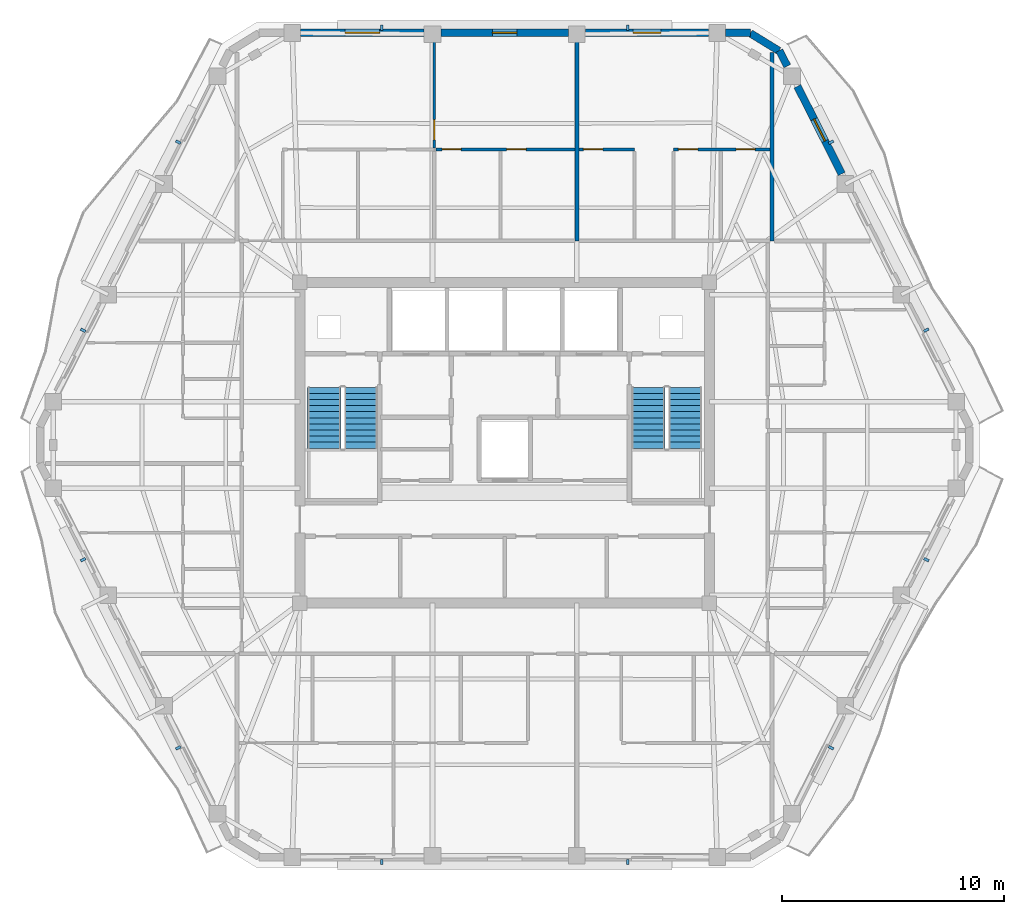
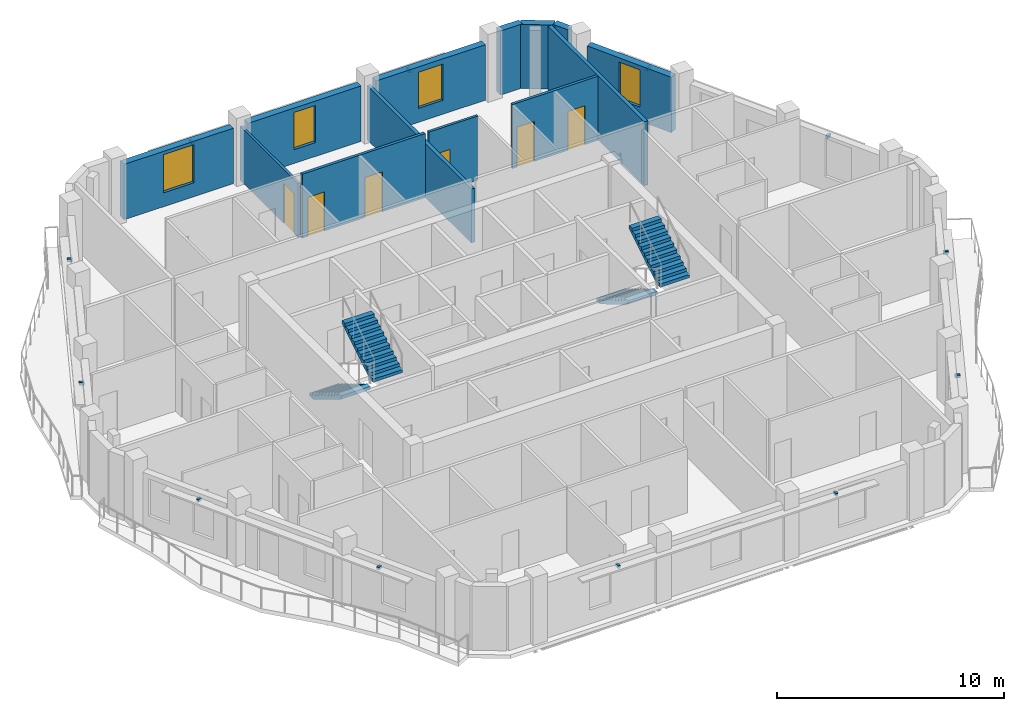
# One storey, part 8 of 11: 13 walls, 12 discrete accessories, 6 doors, 4 stair flights, 4 windows, 10 openings, 2 elements without a shape of their own.
"""IFC4 building model written with IfcOpenShell, lengths in metres."""

from ifc_helpers import new_model, si_unit, direction, frame, frame_2d, origin, origin_2d, place, context, subcontext, project, spatial, polyline, rectangle, outline, extrude, material, layer, layer_set, type_object, element, fill, aggregate, save


model = new_model("IFC4")

# Units and contexts
model_context = context("Model", 3, precision=1e-05, world=origin(), true_north=direction((0.0, 1.0)))
body_context = subcontext(model_context, "Body", "Model", "MODEL_VIEW")
ifc_project = project(units=[si_unit("LENGTHUNIT", "METRE"), si_unit("AREAUNIT", "SQUARE_METRE"), si_unit("VOLUMEUNIT", "CUBIC_METRE"), si_unit("PLANEANGLEUNIT", "RADIAN"), si_unit("MASSUNIT", "GRAM", prefix="KILO")], contexts=[model_context])

# Site, building, storey
site_placement = place(None, origin())
site = spatial("IfcSite", under=ifc_project, at=site_placement, CompositionType="ELEMENT")
building_placement = place(site_placement, origin())
building = spatial("IfcBuilding", under=site, at=building_placement, Name="Cinnabar Lancet Tower", CompositionType="ELEMENT")
storey_placement = place(building_placement, frame((0.0, 0.0, 256.199951171875)))
storey = spatial("IfcBuildingStorey", under=building, at=storey_placement, Name="L68", CompositionType="ELEMENT", Elevation=256.199951171875)

# Walls
ifc_material_1 = material(Name="Fire-rated twin-frame acoustic drywall", Category="gypsum")
ifc_layer_1 = layer(ifc_material_1, 0.179931640625)
ifc_layer_set_1 = layer_set([ifc_layer_1], Name="Fire-rated twin-frame acoustic drywall")
wall_type_1 = type_object("IfcWallType", Name="ARC-WL-PARTY-180", PredefinedType="PARTITIONING", material=ifc_layer_set_1)
wall_1_placement = place(storey_placement, frame((35.654052734375, 35.0, 0.0), z_axis=(0.0, 0.0, 1.0), x_axis=(0.0, 1.0, 0.0)))
element("IfcWall", 1, at=wall_1_placement, inside=storey, type_object=wall_type_1, Name="PW-L68-NPTY-357", PredefinedType="PARTITIONING", context=body_context, shape_type="SweptSolid", body=[
    extrude(rectangle(XDim=9.195068359375, YDim=0.179931640625, at=frame_2d((4.59765625, 0.0))), origin(), (0.0, 0.0, 1.0), 2.906982421875),
])
wall_2_placement = place(storey_placement, frame((44.449951171875, 35.0, 0.0), z_axis=(0.0, 0.0, 1.0), x_axis=(0.0, 1.0, 0.0)))
element("IfcWall", 2, at=wall_2_placement, inside=storey, type_object=wall_type_1, Name="PW-L68-NPTY-444", PredefinedType="PARTITIONING", context=body_context, shape_type="SweptSolid", body=[
    extrude(rectangle(XDim=8.48095703125, YDim=0.179931640625, at=frame_2d((4.240478515625, 0.0))), origin(), (0.0, 0.0, 1.0), 3.449951171875),
])

# Wall, opening, door
ifc_material_2 = material(Name="Gypsum plasterboard stud partition", Category="gypsum")
ifc_layer_2 = layer(ifc_material_2, 0.125)
ifc_layer_set_2 = layer_set([ifc_layer_2], Name="Gypsum plasterboard stud partition")
wall_type_2 = type_object("IfcWallType", Name="ARC-WL-UNIT-125", PredefinedType="PARTITIONING", material=ifc_layer_set_2)
wall_3_placement = place(storey_placement, frame((29.22607421875, 39.18994140625, 0.0), z_axis=(0.0, 0.0, 1.0), x_axis=(0.0, 1.0, 0.0)))
wall_3 = element("IfcWall", 3, at=wall_3_placement, inside=storey, type_object=wall_type_2, Name="UW-L68-N01-MBW", PredefinedType="PARTITIONING", context=body_context, shape_type="SweptSolid", body=[
    extrude(rectangle(XDim=5.094970703125, YDim=0.125, at=frame_2d((2.54736328125, 0.0))), origin(), (0.0, 0.0, 1.0), 2.906982421875),
])
opening_1_placement = place(wall_3_placement, frame((0.35009765625, 0.0, 0.0)))
opening_1 = element("IfcOpeningElement", 4, at=opening_1_placement, cuts=wall_3, Name="Opening RD-01", PredefinedType="OPENING", context=body_context, shape_type="SweptSolid", body=[
    extrude(rectangle(XDim=0.919921875, YDim=2.14990234375, at=frame_2d((0.4599609375, 1.074951171875))), frame((0.0, 0.072509765625, 0.0), z_axis=(0.0, -1.0, 0.0), x_axis=(1.0, 0.0, 0.0)), (0.0, 0.0, 1.0), 0.14501953125),
])
ifc_material_3 = material(Name="Engineered timber bedroom door", Category="wood")
door_type_1 = type_object("IfcDoorType", Name="ARC-DR-ROOM", OperationType="NOTDEFINED", PredefinedType="DOOR", material=ifc_material_3)
door_1_placement = place(opening_1_placement, origin())
door_1 = element("IfcDoor", 5, at=door_1_placement, inside=storey, type_object=door_type_1, Name="DR-L68-N01-MBD", OperationType="SINGLE_SWING_RIGHT", OverallHeight=2.14990234375, OverallWidth=0.919921875, PredefinedType="DOOR", context=body_context, shape_type="SweptSolid", body=[
    extrude(rectangle(XDim=0.919921875, YDim=2.14990234375, at=frame_2d((0.4599609375, 1.074951171875))), frame((0.0, 0.02490234375, 0.0), z_axis=(0.0, -1.0, 0.0), x_axis=(1.0, 0.0, 0.0)), (0.0, 0.0, 1.0), 0.050048828125),
])
fill(opening_1, door_1)

wall_4_placement = place(storey_placement, frame((35.7490234375, 39.114990234375, 0.0), z_axis=(0.0, 0.0, 1.0), x_axis=(1.0, 0.0, 0.0)))
wall_4 = element("IfcWall", 6, at=wall_4_placement, inside=storey, type_object=wall_type_2, Name="UW-L68-N02-SP0", PredefinedType="PARTITIONING", context=body_context, shape_type="SweptSolid", body=[
    extrude(rectangle(XDim=2.5009765625, YDim=0.125, at=frame_2d((1.25048828125, 0.0))), origin(), (0.0, 0.0, 1.0), 3.449951171875),
])
opening_2_placement = place(wall_4_placement, frame((0.199951171875, 0.0, 0.0)))
opening_2 = element("IfcOpeningElement", 7, at=opening_2_placement, cuts=wall_4, Name="Opening RD-02", PredefinedType="OPENING", context=body_context, shape_type="SweptSolid", body=[
    extrude(rectangle(XDim=0.8798828125, YDim=2.14990234375, at=frame_2d((0.43994140625, 1.074951171875))), frame((0.0, 0.072509765625, 0.0), z_axis=(0.0, -1.0, 0.0), x_axis=(1.0, 0.0, 0.0)), (0.0, 0.0, 1.0), 0.14501953125),
])
ifc_material_4 = material(Name="Engineered timber study door", Category="wood")
door_type_2 = type_object("IfcDoorType", Name="ARC-DR-STUDY", OperationType="NOTDEFINED", PredefinedType="DOOR", material=ifc_material_4)
door_2_placement = place(opening_2_placement, origin())
door_2 = element("IfcDoor", 8, at=door_2_placement, inside=storey, type_object=door_type_2, Name="DR-L68-N02-EX0", OperationType="SINGLE_SWING_RIGHT", OverallHeight=2.14990234375, OverallWidth=0.8798828125, PredefinedType="DOOR", context=body_context, shape_type="SweptSolid", body=[
    extrude(rectangle(XDim=0.8798828125, YDim=2.14990234375, at=frame_2d((0.43994140625, 1.074951171875))), frame((0.0, 0.02490234375, 0.0), z_axis=(0.0, -1.0, 0.0), x_axis=(1.0, 0.0, 0.0)), (0.0, 0.0, 1.0), 0.050048828125),
])
fill(opening_2, door_2)

# Wall, openings, doors
ifc_material_5 = material(Name="Moisture-resistant cement-board plumbing wall", Category="masonry")
ifc_layer_3 = layer(ifc_material_5, 0.139892578125)
ifc_layer_set_3 = layer_set([ifc_layer_3], Name="Moisture-resistant cement-board plumbing wall")
wall_type_3 = type_object("IfcWallType", Name="ARC-WL-WET-140", PredefinedType="PLUMBINGWALL", material=ifc_layer_set_3)
wall_5_placement = place(storey_placement, frame((29.301025390625, 39.114990234375, 0.0), z_axis=(0.0, 0.0, 1.0), x_axis=(1.0, 0.0, 0.0)))
wall_5 = element("IfcWall", 9, at=wall_5_placement, inside=storey, type_object=wall_type_3, Name="UW-L68-N01-SPM", PredefinedType="PLUMBINGWALL", context=body_context, shape_type="SweptSolid", body=[
    extrude(rectangle(XDim=6.258056640625, YDim=0.139892578125, at=frame_2d((3.12890625, 0.0))), origin(), (0.0, 0.0, 1.0), 3.449951171875),
])
opening_3_placement = place(wall_5_placement, frame((0.280029296875, 0.0, 0.0)))
opening_3 = element("IfcOpeningElement", 10, at=opening_3_placement, cuts=wall_5, Name="Opening BD-01", PredefinedType="OPENING", context=body_context, shape_type="SweptSolid", body=[
    extrude(rectangle(XDim=0.860107421875, YDim=2.10009765625, at=frame_2d((0.43017578125, 1.050048828125))), frame((0.0, 0.079833984375, 0.0), z_axis=(0.0, -1.0, 0.0), x_axis=(1.0, 0.0, 0.0)), (0.0, 0.0, 1.0), 0.159912109375),
])
opening_4_placement = place(wall_5_placement, frame((3.18798828125, 0.0, 0.0)))
opening_4 = element("IfcOpeningElement", 11, at=opening_4_placement, cuts=wall_5, Name="Opening RD-02", PredefinedType="OPENING", context=body_context, shape_type="SweptSolid", body=[
    extrude(rectangle(XDim=0.8798828125, YDim=2.14990234375, at=frame_2d((0.43994140625, 1.074951171875))), frame((0.0, 0.079833984375, 0.0), z_axis=(0.0, -1.0, 0.0), x_axis=(1.0, 0.0, 0.0)), (0.0, 0.0, 1.0), 0.159912109375),
])
ifc_material_6 = material(Name="Moisture-resistant timber bathroom door", Category="wood")
door_type_3 = type_object("IfcDoorType", Name="ARC-DR-BATH", OperationType="NOTDEFINED", PredefinedType="DOOR", material=ifc_material_6)
door_3_placement = place(opening_3_placement, origin())
door_3 = element("IfcDoor", 12, at=door_3_placement, inside=storey, type_object=door_type_3, Name="DR-L68-N01-ENS", OperationType="SINGLE_SWING_LEFT", OverallHeight=2.10009765625, OverallWidth=0.860107421875, PredefinedType="DOOR", context=body_context, shape_type="SweptSolid", body=[
    extrude(rectangle(XDim=0.860107421875, YDim=2.10009765625, at=frame_2d((0.43017578125, 1.050048828125))), frame((0.0, 0.02490234375, 0.0), z_axis=(0.0, -1.0, 0.0), x_axis=(1.0, 0.0, 0.0)), (0.0, 0.0, 1.0), 0.050048828125),
])
fill(opening_3, door_3)
door_4_placement = place(opening_4_placement, origin())
door_4 = element("IfcDoor", 13, at=door_4_placement, inside=storey, type_object=door_type_2, Name="DR-L68-N01-ENS-WDR", OperationType="SINGLE_SWING_RIGHT", OverallHeight=2.14990234375, OverallWidth=0.8798828125, PredefinedType="DOOR", context=body_context, shape_type="SweptSolid", body=[
    extrude(rectangle(XDim=0.8798828125, YDim=2.14990234375, at=frame_2d((0.43994140625, 1.074951171875))), frame((0.0, 0.02490234375, 0.0), z_axis=(0.0, -1.0, 0.0), x_axis=(1.0, 0.0, 0.0)), (0.0, 0.0, 1.0), 0.050048828125),
])
fill(opening_4, door_4)

wall_6_placement = place(storey_placement, frame((40.0, 39.114990234375, 0.0), z_axis=(0.0, 0.0, 1.0), x_axis=(1.0, 0.0, 0.0)))
wall_6 = element("IfcWall", 14, at=wall_6_placement, inside=storey, type_object=wall_type_3, Name="UW-L68-N02-SPL", PredefinedType="PLUMBINGWALL", context=body_context, shape_type="SweptSolid", body=[
    extrude(rectangle(XDim=4.35498046875, YDim=0.139892578125, at=frame_2d((2.177490234375, 0.0))), origin(), (0.0, 0.0, 1.0), 3.449951171875),
])
opening_5_placement = place(wall_6_placement, frame((2.821044921875, 0.0, 0.0)))
opening_5 = element("IfcOpeningElement", 15, at=opening_5_placement, cuts=wall_6, Name="Opening BD-01", PredefinedType="OPENING", context=body_context, shape_type="SweptSolid", body=[
    extrude(rectangle(XDim=0.860107421875, YDim=2.10009765625, at=frame_2d((0.43017578125, 1.050048828125))), frame((0.0, 0.079833984375, 0.0), z_axis=(0.0, -1.0, 0.0), x_axis=(1.0, 0.0, 0.0)), (0.0, 0.0, 1.0), 0.159912109375),
])
opening_6_placement = place(wall_6_placement, frame((0.219970703125, 0.0, 0.0)))
opening_6 = element("IfcOpeningElement", 16, at=opening_6_placement, cuts=wall_6, Name="Opening RD-02", PredefinedType="OPENING", context=body_context, shape_type="SweptSolid", body=[
    extrude(rectangle(XDim=0.8798828125, YDim=2.14990234375, at=frame_2d((0.43994140625, 1.074951171875))), frame((0.0, 0.079833984375, 0.0), z_axis=(0.0, -1.0, 0.0), x_axis=(1.0, 0.0, 0.0)), (0.0, 0.0, 1.0), 0.159912109375),
])
door_5_placement = place(opening_5_placement, origin())
door_5 = element("IfcDoor", 17, at=door_5_placement, inside=storey, type_object=door_type_3, Name="DR-L68-N02-BTH", OperationType="SINGLE_SWING_RIGHT", OverallHeight=2.10009765625, OverallWidth=0.860107421875, PredefinedType="DOOR", context=body_context, shape_type="SweptSolid", body=[
    extrude(rectangle(XDim=0.860107421875, YDim=2.10009765625, at=frame_2d((0.43017578125, 1.050048828125))), frame((0.0, 0.02490234375, 0.0), z_axis=(0.0, -1.0, 0.0), x_axis=(1.0, 0.0, 0.0)), (0.0, 0.0, 1.0), 0.050048828125),
])
fill(opening_5, door_5)
door_6_placement = place(opening_6_placement, origin())
door_6 = element("IfcDoor", 18, at=door_6_placement, inside=storey, type_object=door_type_2, Name="DR-L68-N02-KIT", OperationType="SINGLE_SWING_LEFT", OverallHeight=2.14990234375, OverallWidth=0.8798828125, PredefinedType="DOOR", context=body_context, shape_type="SweptSolid", body=[
    extrude(rectangle(XDim=0.8798828125, YDim=2.14990234375, at=frame_2d((0.43994140625, 1.074951171875))), frame((0.0, 0.02490234375, 0.0), z_axis=(0.0, -1.0, 0.0), x_axis=(1.0, 0.0, 0.0)), (0.0, 0.0, 1.0), 0.050048828125),
])
fill(opening_6, door_6)

# Wall
ifc_material_7 = material(Name="Cinnabar red clay brick", Category="masonry")
ifc_layer_4 = layer(ifc_material_7, 0.340087890625)
ifc_layer_set_4 = layer_set([ifc_layer_4], Name="Cinnabar red clay brick")
wall_type_4 = type_object("IfcWallType", Name="ENV-WL-BRK-RED-340", PredefinedType="STANDARD", material=ifc_layer_set_4)
wall_7_placement = place(storey_placement, frame((44.7529296875, 43.554931640625, 0.0), z_axis=(0.0, 0.0, 1.0), x_axis=(-0.851680557619, 0.52406128246, 0.0)))
element("IfcWall", 19, at=wall_7_placement, inside=storey, type_object=wall_type_4, Name="L68 Chamfered Corner Brick Pier 4.1", PredefinedType="STANDARD", context=body_context, shape_type="SweptSolid", body=[
    extrude(rectangle(XDim=1.507568359375, YDim=0.340087890625, at=frame_2d((0.75390625, 0.0))), origin(), (0.0, 0.0, 1.0), 3.449951171875),
])

# Wall, opening, window
wall_8_placement = place(storey_placement, frame((47.5859375, 38.010009765625, 0.0), z_axis=(0.0, 0.0, 1.0), x_axis=(-0.451463046281, 0.89228981718, 0.0)))
wall_8 = element("IfcWall", 20, at=wall_8_placement, inside=storey, type_object=wall_type_4, Name="L68 Face 3 Masonry Bay Wall 4", PredefinedType="STANDARD", context=body_context, shape_type="SweptSolid", body=[
    extrude(rectangle(XDim=4.429931640625, YDim=0.340087890625, at=frame_2d((2.21484375, 0.0))), origin(), (0.0, 0.0, 1.0), 2.983154296875),
])
opening_7_placement = place(wall_8_placement, frame((1.6650390625, 0.0, 0.75)))
opening_7 = element("IfcOpeningElement", 21, at=opening_7_placement, cuts=wall_8, Name="Opening WN-04", PredefinedType="OPENING", context=body_context, shape_type="SweptSolid", body=[
    extrude(rectangle(XDim=1.10009765625, YDim=2.0, at=frame_2d((0.550048828125, 1.0))), frame((0.0, 0.179931640625, 0.0), z_axis=(0.0, -1.0, 0.0), x_axis=(1.0, 0.0, 0.0)), (0.0, 0.0, 1.0), 0.360107421875),
])
ifc_material_8 = material(Name="Thermally broken bronze-anodized aluminium tall lancet window", Category="aluminium")
window_type_1 = type_object("IfcWindowType", Name="ENV-WN-LANCET-1100", PartitioningType="SINGLE_PANEL", PredefinedType="WINDOW", material=ifc_material_8)
window_1_placement = place(opening_7_placement, origin())
window_1 = element("IfcWindow", 22, at=window_1_placement, inside=storey, type_object=window_type_1, Name="L68 Face 3 Gothic Lancet Window 4", OverallHeight=2.0, OverallWidth=1.10009765625, PartitioningType="SINGLE_PANEL", PredefinedType="WINDOW", context=body_context, shape_type="SweptSolid", body=[
    extrude(rectangle(XDim=1.10009765625, YDim=2.0, at=frame_2d((0.550048828125, 1.0))), frame((0.0, 0.030029296875, 0.0), z_axis=(0.0, -1.0, 0.0), x_axis=(1.0, 0.0, 0.0)), (0.0, 0.0, 1.0), 0.06005859375),
])
fill(opening_7, window_1)

# Walls
wall_9_placement = place(storey_placement, frame((45.1298828125, 42.864990234375, 0.0), z_axis=(0.0, 0.0, 1.0), x_axis=(-0.451159191899, 0.892443490404, 0.0)))
element("IfcWall", 23, at=wall_9_placement, inside=storey, type_object=wall_type_4, Name="L68 Face 3 Masonry Bay Wall 5", PredefinedType="STANDARD", context=body_context, shape_type="SweptSolid", body=[
    extrude(rectangle(XDim=0.791259765625, YDim=0.340087890625, at=frame_2d((0.3955078125, 0.0))), origin(), (0.0, 0.0, 1.0), 3.449951171875),
])
wall_10_placement = place(storey_placement, frame((43.47412109375, 44.3701171875, 0.0), z_axis=(0.0, 0.0, 1.0), x_axis=(-1.0, 0.0, 0.0)))
element("IfcWall", 24, at=wall_10_placement, inside=storey, type_object=wall_type_4, Name="L68 Face 4 Masonry Bay Wall 1", PredefinedType="STANDARD", context=body_context, shape_type="SweptSolid", body=[
    extrude(rectangle(XDim=1.123046875, YDim=0.340087890625, at=frame_2d((0.5615234375, 0.0))), origin(), (0.0, 0.0, 1.0), 3.449951171875),
])

# Wall, opening, window
wall_11_placement = place(storey_placement, frame((41.593017578125, 44.3701171875, 0.0), z_axis=(0.0, 0.0, 1.0), x_axis=(-1.0, 0.0, 0.0)))
wall_11 = element("IfcWall", 25, at=wall_11_placement, inside=storey, type_object=wall_type_4, Name="L68 Face 4 Masonry Bay Wall 2", PredefinedType="STANDARD", context=body_context, shape_type="SweptSolid", body=[
    extrude(rectangle(XDim=5.56005859375, YDim=0.340087890625, at=frame_2d((2.780029296875, 0.0))), origin(), (0.0, 0.0, 1.0), 2.983154296875),
])
opening_8_placement = place(wall_11_placement, frame((2.155029296875, 0.0, 0.75)))
opening_8 = element("IfcOpeningElement", 26, at=opening_8_placement, cuts=wall_11, Name="Opening WN-03", PredefinedType="OPENING", context=body_context, shape_type="SweptSolid", body=[
    extrude(rectangle(XDim=1.25, YDim=1.949951171875, at=frame_2d((0.625, 0.97509765625))), frame((0.0, 0.179931640625, 0.0), z_axis=(0.0, -1.0, 0.0), x_axis=(1.0, 0.0, 0.0)), (0.0, 0.0, 1.0), 0.360107421875),
])
ifc_material_9 = material(Name="Thermally broken bronze-anodized aluminium low-E double glazing", Category="aluminium")
window_type_2 = type_object("IfcWindowType", Name="ENV-WN-LANCET-1250", PartitioningType="SINGLE_PANEL", PredefinedType="WINDOW", material=ifc_material_9)
window_2_placement = place(opening_8_placement, origin())
window_2 = element("IfcWindow", 27, at=window_2_placement, inside=storey, type_object=window_type_2, Name="L68 Face 4 Gothic Lancet Window 2", OverallHeight=1.949951171875, OverallWidth=1.25, PartitioningType="SINGLE_PANEL", PredefinedType="WINDOW", context=body_context, shape_type="SweptSolid", body=[
    extrude(rectangle(XDim=1.25, YDim=1.949951171875, at=frame_2d((0.625, 0.97509765625))), frame((0.0, 0.030029296875, 0.0), z_axis=(0.0, -1.0, 0.0), x_axis=(1.0, 0.0, 0.0)), (0.0, 0.0, 1.0), 0.06005859375),
])
fill(opening_8, window_2)

wall_12_placement = place(storey_placement, frame((35.27490234375, 44.3701171875, 0.0), z_axis=(0.0, 0.0, 1.0), x_axis=(-1.0, 0.0, 0.0)))
wall_12 = element("IfcWall", 28, at=wall_12_placement, inside=storey, type_object=wall_type_4, Name="L68 Face 4 Masonry Bay Wall 3", PredefinedType="STANDARD", context=body_context, shape_type="SweptSolid", body=[
    extrude(rectangle(XDim=5.75, YDim=0.340087890625, at=frame_2d((2.875, 0.0))), origin(), (0.0, 0.0, 1.0), 2.983154296875),
])
opening_9_placement = place(wall_12_placement, frame((2.324951171875, 0.0, 0.75)))
opening_9 = element("IfcOpeningElement", 29, at=opening_9_placement, cuts=wall_12, Name="Opening WN-04", PredefinedType="OPENING", context=body_context, shape_type="SweptSolid", body=[
    extrude(rectangle(XDim=1.10009765625, YDim=2.0, at=frame_2d((0.550048828125, 1.0))), frame((0.0, 0.179931640625, 0.0), z_axis=(0.0, -1.0, 0.0), x_axis=(1.0, 0.0, 0.0)), (0.0, 0.0, 1.0), 0.360107421875),
])
window_3_placement = place(opening_9_placement, origin())
window_3 = element("IfcWindow", 30, at=window_3_placement, inside=storey, type_object=window_type_1, Name="L68 Face 4 Gothic Lancet Window 3", OverallHeight=2.0, OverallWidth=1.10009765625, PartitioningType="SINGLE_PANEL", PredefinedType="WINDOW", context=body_context, shape_type="SweptSolid", body=[
    extrude(rectangle(XDim=1.10009765625, YDim=2.0, at=frame_2d((0.550048828125, 1.0))), frame((0.0, 0.030029296875, 0.0), z_axis=(0.0, -1.0, 0.0), x_axis=(1.0, 0.0, 0.0)), (0.0, 0.0, 1.0), 0.06005859375),
])
fill(opening_9, window_3)

wall_13_placement = place(storey_placement, frame((28.76708984375, 44.3701171875, 0.0), z_axis=(0.0, 0.0, 1.0), x_axis=(-1.0, 0.0, 0.0)))
wall_13 = element("IfcWall", 31, at=wall_13_placement, inside=storey, type_object=wall_type_4, Name="L68 Face 4 Masonry Bay Wall 4", PredefinedType="STANDARD", context=body_context, shape_type="SweptSolid", body=[
    extrude(rectangle(XDim=5.56005859375, YDim=0.340087890625, at=frame_2d((2.780029296875, 0.0))), origin(), (0.0, 0.0, 1.0), 2.983154296875),
])
opening_10_placement = place(wall_13_placement, frame((2.0048828125, 0.0, 0.75)))
opening_10 = element("IfcOpeningElement", 32, at=opening_10_placement, cuts=wall_13, Name="Opening WN-01", PredefinedType="OPENING", context=body_context, shape_type="SweptSolid", body=[
    extrude(rectangle(XDim=1.550048828125, YDim=2.050048828125, at=frame_2d((0.77490234375, 1.02490234375))), frame((0.0, 0.179931640625, 0.0), z_axis=(0.0, -1.0, 0.0), x_axis=(1.0, 0.0, 0.0)), (0.0, 0.0, 1.0), 0.360107421875),
])
ifc_material_10 = material(Name="Thermally broken bronze-anodized aluminium low-E double glazing", Category="aluminium")
window_type_3 = type_object("IfcWindowType", Name="ENV-WN-LANCET-1550", PartitioningType="SINGLE_PANEL", PredefinedType="WINDOW", material=ifc_material_10)
window_4_placement = place(opening_10_placement, origin())
window_4 = element("IfcWindow", 33, at=window_4_placement, inside=storey, type_object=window_type_3, Name="L68 Face 4 Gothic Lancet Window 4", OverallHeight=2.050048828125, OverallWidth=1.550048828125, PartitioningType="SINGLE_PANEL", PredefinedType="WINDOW", context=body_context, shape_type="SweptSolid", body=[
    extrude(rectangle(XDim=1.550048828125, YDim=2.050048828125, at=frame_2d((0.77490234375, 1.02490234375))), frame((0.0, 0.030029296875, 0.0), z_axis=(0.0, -1.0, 0.0), x_axis=(1.0, 0.0, 0.0)), (0.0, 0.0, 1.0), 0.06005859375),
])
fill(opening_10, window_4)

# Stair, stair flights
ifc_material_11 = material(Name="Concrete C40/50", Category="concrete")
stair_type = type_object("IfcStairType", Name="ST-CORE", PredefinedType="HALF_TURN_STAIR", material=ifc_material_11)
stair_1_placement = place(storey_placement, origin())
stair_1 = element("IfcStair", 34, at=stair_1_placement, inside=storey, type_object=stair_type, Name="L68 ST-1", PredefinedType="HALF_TURN_STAIR")
ifc_material_12 = material(Name="Concrete C40/50", Category="concrete")
stair_flight_type = type_object("IfcStairFlightType", Name="FLIGHT-CORE", PredefinedType="STRAIGHT", material=ifc_material_12)
stair_flight_1_placement = place(storey_placement, frame((24.27490234375, 28.39990234375, 0.0), z_axis=(0.0, 0.0, 1.0), x_axis=(0.0, -1.0, 0.0)))
stair_flight_1 = element("IfcStairFlight", 35, at=stair_flight_1_placement, type_object=stair_flight_type, Name="ST-1 flight 1", NumberOfRisers=11, NumberOfTreads=10, PredefinedType="STRAIGHT", RiserHeight=0.165909091, TreadLength=0.275, context=body_context, shape_type="SweptSolid", body=[
    extrude(outline(polyline([(0.0, 0.0), (0.0, 0.166015625), (0.27490234375, 0.166015625), (0.27490234375, 0.331787109375), (0.550048828125, 0.331787109375), (0.550048828125, 0.497802734375), (0.824951171875, 0.497802734375), (0.824951171875, 0.66357421875), (1.10009765625, 0.66357421875), (1.10009765625, 0.82958984375), (1.375, 0.82958984375), (1.375, 0.995361328125), (1.64990234375, 0.995361328125), (1.64990234375, 1.161376953125), (1.925048828125, 1.161376953125), (1.925048828125, 1.327392578125), (2.199951171875, 1.327392578125), (2.199951171875, 1.4931640625), (2.47509765625, 1.4931640625), (2.47509765625, 1.6591796875), (2.75, 1.6591796875), (2.75, 1.824951171875), (2.75, 1.484130859375), (0.290283203125, 0.0), (0.0, 0.0)])), frame((0.0, 0.75, 0.0), z_axis=(0.0, -1.0, 0.0), x_axis=(1.0, 0.0, 0.0)), (0.0, 0.0, 1.0), 1.5),
])
stair_flight_2_placement = place(storey_placement, frame((25.925048828125, 25.64990234375, 1.824951171875), z_axis=(0.0, 0.0, 1.0), x_axis=(0.0, 1.0, 0.0)))
stair_flight_2 = element("IfcStairFlight", 36, at=stair_flight_2_placement, type_object=stair_flight_type, Name="ST-1 flight 2", NumberOfRisers=11, NumberOfTreads=10, PredefinedType="STRAIGHT", RiserHeight=0.165909091, TreadLength=0.275, context=body_context, shape_type="SweptSolid", body=[
    extrude(outline(polyline([(0.0, 0.0), (0.0, 0.166015625), (0.27490234375, 0.166015625), (0.27490234375, 0.331787109375), (0.550048828125, 0.331787109375), (0.550048828125, 0.497802734375), (0.824951171875, 0.497802734375), (0.824951171875, 0.66357421875), (1.10009765625, 0.66357421875), (1.10009765625, 0.82958984375), (1.375, 0.82958984375), (1.375, 0.995361328125), (1.64990234375, 0.995361328125), (1.64990234375, 1.161376953125), (1.925048828125, 1.161376953125), (1.925048828125, 1.327392578125), (2.199951171875, 1.327392578125), (2.199951171875, 1.4931640625), (2.47509765625, 1.4931640625), (2.47509765625, 1.6591796875), (2.75, 1.6591796875), (2.75, 1.824951171875), (2.75, 1.484130859375), (0.290283203125, 0.0), (0.0, 0.0)])), frame((0.0, 0.75, 0.0), z_axis=(0.0, -1.0, 0.0), x_axis=(1.0, 0.0, 0.0)), (0.0, 0.0, 1.0), 1.5),
])
aggregate(stair_1, [stair_flight_1, stair_flight_2])

stair_2_placement = place(storey_placement, origin())
stair_2 = element("IfcStair", 37, at=stair_2_placement, inside=storey, type_object=stair_type, Name="L68 ST-2", PredefinedType="HALF_TURN_STAIR")
stair_flight_3_placement = place(storey_placement, frame((38.875, 28.39990234375, 0.0), z_axis=(0.0, 0.0, 1.0), x_axis=(0.0, -1.0, 0.0)))
stair_flight_3 = element("IfcStairFlight", 38, at=stair_flight_3_placement, type_object=stair_flight_type, Name="ST-2 flight 1", NumberOfRisers=11, NumberOfTreads=10, PredefinedType="STRAIGHT", RiserHeight=0.165909091, TreadLength=0.275, context=body_context, shape_type="SweptSolid", body=[
    extrude(outline(polyline([(0.0, 0.0), (0.0, 0.166015625), (0.27490234375, 0.166015625), (0.27490234375, 0.331787109375), (0.550048828125, 0.331787109375), (0.550048828125, 0.497802734375), (0.824951171875, 0.497802734375), (0.824951171875, 0.66357421875), (1.10009765625, 0.66357421875), (1.10009765625, 0.82958984375), (1.375, 0.82958984375), (1.375, 0.995361328125), (1.64990234375, 0.995361328125), (1.64990234375, 1.161376953125), (1.925048828125, 1.161376953125), (1.925048828125, 1.327392578125), (2.199951171875, 1.327392578125), (2.199951171875, 1.4931640625), (2.47509765625, 1.4931640625), (2.47509765625, 1.6591796875), (2.75, 1.6591796875), (2.75, 1.824951171875), (2.75, 1.484130859375), (0.290283203125, 0.0), (0.0, 0.0)])), frame((0.0, 0.75, 0.0), z_axis=(0.0, -1.0, 0.0), x_axis=(1.0, 0.0, 0.0)), (0.0, 0.0, 1.0), 1.5),
])
stair_flight_4_placement = place(storey_placement, frame((40.52490234375, 25.64990234375, 1.824951171875), z_axis=(0.0, 0.0, 1.0), x_axis=(0.0, 1.0, 0.0)))
stair_flight_4 = element("IfcStairFlight", 39, at=stair_flight_4_placement, type_object=stair_flight_type, Name="ST-2 flight 2", NumberOfRisers=11, NumberOfTreads=10, PredefinedType="STRAIGHT", RiserHeight=0.165909091, TreadLength=0.275, context=body_context, shape_type="SweptSolid", body=[
    extrude(outline(polyline([(0.0, 0.0), (0.0, 0.166015625), (0.27490234375, 0.166015625), (0.27490234375, 0.331787109375), (0.550048828125, 0.331787109375), (0.550048828125, 0.497802734375), (0.824951171875, 0.497802734375), (0.824951171875, 0.66357421875), (1.10009765625, 0.66357421875), (1.10009765625, 0.82958984375), (1.375, 0.82958984375), (1.375, 0.995361328125), (1.64990234375, 0.995361328125), (1.64990234375, 1.161376953125), (1.925048828125, 1.161376953125), (1.925048828125, 1.327392578125), (2.199951171875, 1.327392578125), (2.199951171875, 1.4931640625), (2.47509765625, 1.4931640625), (2.47509765625, 1.6591796875), (2.75, 1.6591796875), (2.75, 1.824951171875), (2.75, 1.484130859375), (0.290283203125, 0.0), (0.0, 0.0)])), frame((0.0, 0.75, 0.0), z_axis=(0.0, -1.0, 0.0), x_axis=(1.0, 0.0, 0.0)), (0.0, 0.0, 1.0), 1.5),
])
aggregate(stair_2, [stair_flight_3, stair_flight_4])

# Discrete accessories
ifc_material_13 = material(Name="Stainless steel 316 facade fixing bracket", Category="steel")
discrete_accessory_type = type_object("IfcDiscreteAccessoryType", Name="ENV-ACC-BRK-180", PredefinedType="BRACKET", material=ifc_material_13)
for number, where, z_axis, x_axis, name in (
    (40, (26.863037109375, 7.010009765625, 2.60009765625), (0.0, 0.0, 1.0), (1.0, 0.0, 0.0), "L68 Face 1 Sunshade Bracket A"),
    (41, (37.93701171875, 7.010009765625, 2.60009765625), (0.0, 0.0, 1.0), (1.0, 0.0, 0.0), "L68 Face 1 Sunshade Bracket B"),
    (42, (47.10791015625, 12.157958984375, 2.60009765625), (0.0, 0.0, 1.0), (0.451375984307, 0.89233386173, 0.0), "L68 Face 2 Sunshade Bracket A"),
    (43, (51.39306640625, 20.6298828125, 2.60009765625), (0.0, 0.0, 1.0), (0.451375984307, 0.89233386173, 0.0), "L68 Face 2 Sunshade Bracket B"),
    (44, (51.39306640625, 30.969970703125, 2.60009765625), (0.0, 0.0, 1.0), (-0.451375984307, 0.89233386173, 0.0), "L68 Face 3 Sunshade Bracket A"),
    (45, (47.10791015625, 39.44189453125, 2.60009765625), (0.0, 0.0, 1.0), (-0.451375984307, 0.89233386173, 0.0), "L68 Face 3 Sunshade Bracket B"),
    (46, (37.93701171875, 44.590087890625, 2.60009765625), (0.0, 0.0, 1.0), (-1.0, 0.0, 0.0), "L68 Face 4 Sunshade Bracket A"),
    (47, (26.863037109375, 44.590087890625, 2.60009765625), (0.0, 0.0, 1.0), (-1.0, 0.0, 0.0), "L68 Face 4 Sunshade Bracket B"),
    (48, (17.69189453125, 39.44189453125, 2.60009765625), (0.0, 0.0, 1.0), (-0.451375984307, -0.89233386173, 0.0), "L68 Face 5 Sunshade Bracket A"),
    (49, (13.406982421875, 30.969970703125, 2.60009765625), (0.0, 0.0, 1.0), (-0.451375984307, -0.89233386173, 0.0), "L68 Face 5 Sunshade Bracket B"),
    (50, (13.406982421875, 20.6298828125, 2.60009765625), (0.0, 0.0, 1.0), (0.451375984307, -0.89233386173, 0.0), "L68 Face 6 Sunshade Bracket A"),
    (51, (17.69189453125, 12.157958984375, 2.60009765625), (0.0, 0.0, 1.0), (0.451375984307, -0.89233386173, 0.0), "L68 Face 6 Sunshade Bracket B"),
):
    element("IfcDiscreteAccessory", number, at=place(storey_placement, frame(where, z_axis=z_axis, x_axis=x_axis)), inside=storey, type_object=discrete_accessory_type, Name=name, PredefinedType="BRACKET", context=body_context, shape_type="SweptSolid", body=[
        extrude(rectangle(XDim=0.1201171875, YDim=0.239990234375, at=origin_2d()), origin(), (0.0, 0.0, 1.0), 0.159912109375),
    ])

save(model, "model.ifc")
